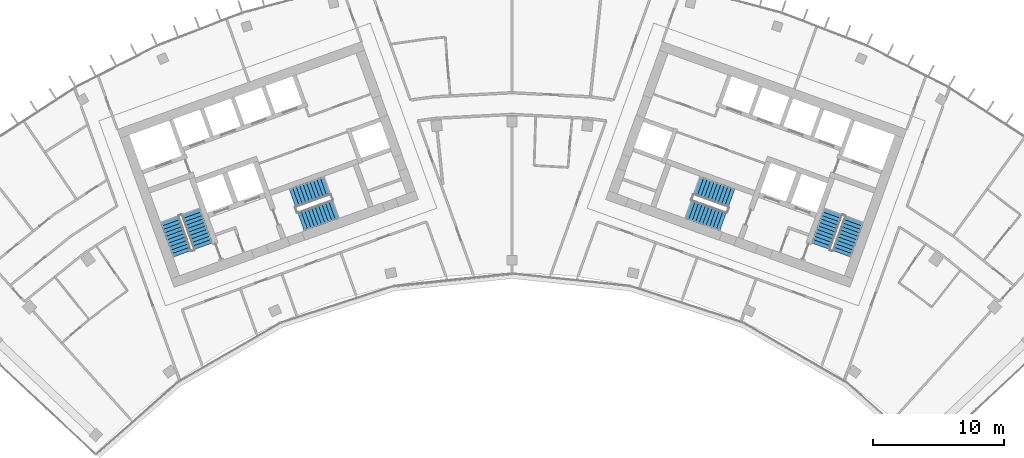
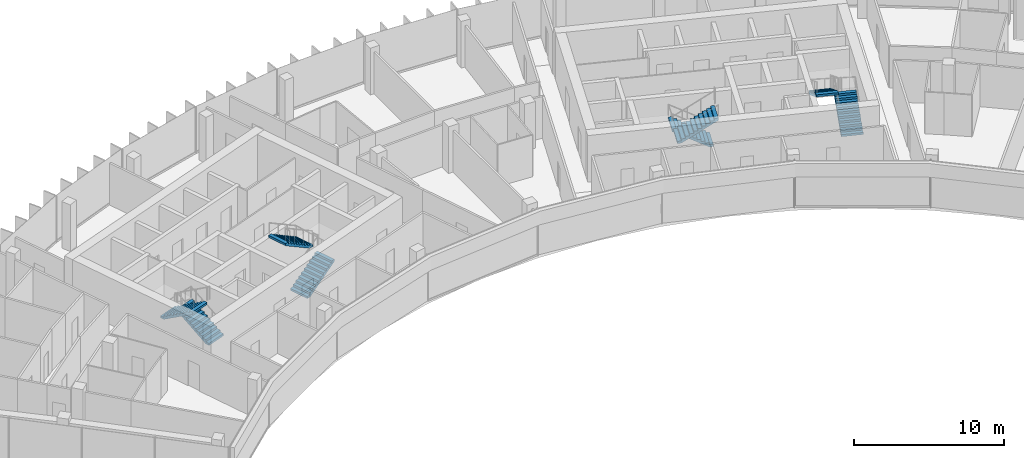
# One storey, part 18 of 19: 8 stair flights, 4 elements without a shape of their own.
"""IFC4 building model written with IfcOpenShell, lengths in metres."""

from ifc_helpers import new_model, si_unit, direction, frame, origin, place, context, subcontext, project, spatial, polyline, outline, extrude, material, type_object, element, aggregate, save


model = new_model("IFC4")

# Units and contexts
model_context = context("Model", 3, precision=1e-05, world=origin(), true_north=direction((0.0, 1.0)))
body_context = subcontext(model_context, "Body", "Model", "MODEL_VIEW")
ifc_project = project(units=[si_unit("LENGTHUNIT", "METRE"), si_unit("AREAUNIT", "SQUARE_METRE"), si_unit("VOLUMEUNIT", "CUBIC_METRE"), si_unit("PLANEANGLEUNIT", "RADIAN"), si_unit("MASSUNIT", "GRAM", prefix="KILO")], contexts=[model_context])

# Site, building, storey
site_placement = place(None, origin())
site = spatial("IfcSite", under=ifc_project, at=site_placement, CompositionType="ELEMENT")
building_placement = place(site_placement, origin())
building = spatial("IfcBuilding", under=site, at=building_placement, Name="Stone Belt Terrace Tower", CompositionType="ELEMENT")
storey_placement = place(building_placement, frame((0.0, 0.0, 303.60009765625)))
storey = spatial("IfcBuildingStorey", under=building, at=storey_placement, Name="L74", CompositionType="ELEMENT", Elevation=303.60009765625)

# Stair, stair flights
ifc_material = material(Name="Concrete B40", Category="concrete")
stair_type = type_object("IfcStairType", Name="Exit stair 1500", PredefinedType="HALF_TURN_STAIR", material=ifc_material)
stair_1_placement = place(storey_placement, origin())
stair_1 = element("IfcStair", 1, at=stair_1_placement, inside=storey, type_object=stair_type, Name="L74 Exit stair 1 core A", PredefinedType="HALF_TURN_STAIR")
stair_flight_type = type_object("IfcStairFlightType", Name="Stair flight 1500", PredefinedType="STRAIGHT", material=ifc_material)
stair_flight_1_placement = place(storey_placement, frame((-23.55322265625, 45.51318359375, 0.0), z_axis=(0.0, 0.0, 1.0), x_axis=(-0.338624396177, 0.940921632398, 0.0)))
stair_flight_1 = element("IfcStairFlight", 2, at=stair_flight_1_placement, type_object=stair_flight_type, Name="ST1A flight 1", NumberOfRisers=11, NumberOfTreads=10, PredefinedType="STRAIGHT", RiserHeight=0.172727273, TreadLength=0.28, context=body_context, shape_type="SweptSolid", body=[
    extrude(outline(polyline([(0.0, 0.0), (0.0, 0.172607421875), (0.280029296875, 0.172607421875), (0.280029296875, 0.345458984375), (0.56005859375, 0.345458984375), (0.56005859375, 0.51806640625), (0.840087890625, 0.51806640625), (0.840087890625, 0.69091796875), (1.1201171875, 0.69091796875), (1.1201171875, 0.863525390625), (1.39990234375, 0.863525390625), (1.39990234375, 1.036376953125), (1.679931640625, 1.036376953125), (1.679931640625, 1.208984375), (1.9599609375, 1.208984375), (1.9599609375, 1.3818359375), (2.239990234375, 1.3818359375), (2.239990234375, 1.554443359375), (2.52001953125, 1.554443359375), (2.52001953125, 1.727294921875), (2.800048828125, 1.727294921875), (2.800048828125, 1.89990234375), (2.800048828125, 1.551025390625), (0.285400390625, 0.0), (0.0, 0.0)])), frame((0.0, 0.75, 0.0), z_axis=(0.0, -1.0, 0.0), x_axis=(1.0, 0.0, 0.0)), (0.0, 0.0, 1.0), 1.5),
])
stair_flight_2_placement = place(storey_placement, frame((-26.10107421875, 47.572021484375, 1.89990234375), z_axis=(0.0, 0.0, 1.0), x_axis=(0.338624396177, -0.940921632398, 0.0)))
stair_flight_2 = element("IfcStairFlight", 3, at=stair_flight_2_placement, type_object=stair_flight_type, Name="ST1A flight 2", NumberOfRisers=11, NumberOfTreads=10, PredefinedType="STRAIGHT", RiserHeight=0.172727273, TreadLength=0.28, context=body_context, shape_type="SweptSolid", body=[
    extrude(outline(polyline([(0.0, 0.0), (0.0, 0.172607421875), (0.280029296875, 0.172607421875), (0.280029296875, 0.345458984375), (0.56005859375, 0.345458984375), (0.56005859375, 0.51806640625), (0.840087890625, 0.51806640625), (0.840087890625, 0.69091796875), (1.1201171875, 0.69091796875), (1.1201171875, 0.863525390625), (1.39990234375, 0.863525390625), (1.39990234375, 1.036376953125), (1.679931640625, 1.036376953125), (1.679931640625, 1.208984375), (1.9599609375, 1.208984375), (1.9599609375, 1.3818359375), (2.239990234375, 1.3818359375), (2.239990234375, 1.554443359375), (2.52001953125, 1.554443359375), (2.52001953125, 1.727294921875), (2.800048828125, 1.727294921875), (2.800048828125, 1.89990234375), (2.800048828125, 1.551025390625), (0.285400390625, 0.0), (0.0, 0.0)])), frame((0.0, 0.75, 0.0), z_axis=(0.0, -1.0, 0.0), x_axis=(1.0, 0.0, 0.0)), (0.0, 0.0, 1.0), 1.5),
])
aggregate(stair_1, [stair_flight_1, stair_flight_2])

stair_2_placement = place(storey_placement, origin())
stair_2 = element("IfcStair", 4, at=stair_2_placement, inside=storey, type_object=stair_type, Name="L74 Exit stair 2 core A", PredefinedType="HALF_TURN_STAIR")
stair_flight_3_placement = place(storey_placement, frame((-16.101318359375, 47.39794921875, 0.0), z_axis=(0.0, 0.0, 1.0), x_axis=(0.940921632398, 0.338624396177, 0.0)))
stair_flight_3 = element("IfcStairFlight", 5, at=stair_flight_3_placement, type_object=stair_flight_type, Name="ST2A flight 1", NumberOfRisers=11, NumberOfTreads=10, PredefinedType="STRAIGHT", RiserHeight=0.172727273, TreadLength=0.28, context=body_context, shape_type="SweptSolid", body=[
    extrude(outline(polyline([(0.0, 0.0), (0.0, 0.172607421875), (0.280029296875, 0.172607421875), (0.280029296875, 0.345458984375), (0.56005859375, 0.345458984375), (0.56005859375, 0.51806640625), (0.840087890625, 0.51806640625), (0.840087890625, 0.69091796875), (1.1201171875, 0.69091796875), (1.1201171875, 0.863525390625), (1.39990234375, 0.863525390625), (1.39990234375, 1.036376953125), (1.679931640625, 1.036376953125), (1.679931640625, 1.208984375), (1.9599609375, 1.208984375), (1.9599609375, 1.3818359375), (2.239990234375, 1.3818359375), (2.239990234375, 1.554443359375), (2.52001953125, 1.554443359375), (2.52001953125, 1.727294921875), (2.800048828125, 1.727294921875), (2.800048828125, 1.89990234375), (2.800048828125, 1.551025390625), (0.285400390625, 0.0), (0.0, 0.0)])), frame((0.0, 0.75, 0.0), z_axis=(0.0, -1.0, 0.0), x_axis=(1.0, 0.0, 0.0)), (0.0, 0.0, 1.0), 1.5),
])
stair_flight_4_placement = place(storey_placement, frame((-14.110107421875, 50.1337890625, 1.89990234375), z_axis=(0.0, 0.0, 1.0), x_axis=(-0.940921632398, -0.338624396177, 0.0)))
stair_flight_4 = element("IfcStairFlight", 6, at=stair_flight_4_placement, type_object=stair_flight_type, Name="ST2A flight 2", NumberOfRisers=11, NumberOfTreads=10, PredefinedType="STRAIGHT", RiserHeight=0.172727273, TreadLength=0.28, context=body_context, shape_type="SweptSolid", body=[
    extrude(outline(polyline([(0.0, 0.0), (0.0, 0.172607421875), (0.280029296875, 0.172607421875), (0.280029296875, 0.345458984375), (0.56005859375, 0.345458984375), (0.56005859375, 0.51806640625), (0.840087890625, 0.51806640625), (0.840087890625, 0.69091796875), (1.1201171875, 0.69091796875), (1.1201171875, 0.863525390625), (1.39990234375, 0.863525390625), (1.39990234375, 1.036376953125), (1.679931640625, 1.036376953125), (1.679931640625, 1.208984375), (1.9599609375, 1.208984375), (1.9599609375, 1.3818359375), (2.239990234375, 1.3818359375), (2.239990234375, 1.554443359375), (2.52001953125, 1.554443359375), (2.52001953125, 1.727294921875), (2.800048828125, 1.727294921875), (2.800048828125, 1.89990234375), (2.800048828125, 1.551025390625), (0.285400390625, 0.0), (0.0, 0.0)])), frame((0.0, 0.75, 0.0), z_axis=(0.0, -1.0, 0.0), x_axis=(1.0, 0.0, 0.0)), (0.0, 0.0, 1.0), 1.5),
])
aggregate(stair_2, [stair_flight_3, stair_flight_4])

stair_3_placement = place(storey_placement, origin())
stair_3 = element("IfcStair", 7, at=stair_3_placement, inside=storey, type_object=stair_type, Name="L74 Exit stair 1 core B", PredefinedType="HALF_TURN_STAIR")
stair_flight_5_placement = place(storey_placement, frame((25.15283203125, 44.9375, 0.0), z_axis=(0.0, 0.0, 1.0), x_axis=(0.338624396177, 0.940921632398, 0.0)))
stair_flight_5 = element("IfcStairFlight", 8, at=stair_flight_5_placement, type_object=stair_flight_type, Name="ST1B flight 1", NumberOfRisers=11, NumberOfTreads=10, PredefinedType="STRAIGHT", RiserHeight=0.172727273, TreadLength=0.28, context=body_context, shape_type="SweptSolid", body=[
    extrude(outline(polyline([(0.0, 0.0), (0.0, 0.172607421875), (0.280029296875, 0.172607421875), (0.280029296875, 0.345458984375), (0.56005859375, 0.345458984375), (0.56005859375, 0.51806640625), (0.840087890625, 0.51806640625), (0.840087890625, 0.69091796875), (1.1201171875, 0.69091796875), (1.1201171875, 0.863525390625), (1.39990234375, 0.863525390625), (1.39990234375, 1.036376953125), (1.679931640625, 1.036376953125), (1.679931640625, 1.208984375), (1.9599609375, 1.208984375), (1.9599609375, 1.3818359375), (2.239990234375, 1.3818359375), (2.239990234375, 1.554443359375), (2.52001953125, 1.554443359375), (2.52001953125, 1.727294921875), (2.800048828125, 1.727294921875), (2.800048828125, 1.89990234375), (2.800048828125, 1.551025390625), (0.285400390625, 0.0), (0.0, 0.0)])), frame((0.0, 0.75, 0.0), z_axis=(0.0, -1.0, 0.0), x_axis=(1.0, 0.0, 0.0)), (0.0, 0.0, 1.0), 1.5),
])
stair_flight_6_placement = place(storey_placement, frame((24.50146484375, 48.147705078125, 1.89990234375), z_axis=(0.0, 0.0, 1.0), x_axis=(-0.338624396177, -0.940921632398, 0.0)))
stair_flight_6 = element("IfcStairFlight", 9, at=stair_flight_6_placement, type_object=stair_flight_type, Name="ST1B flight 2", NumberOfRisers=11, NumberOfTreads=10, PredefinedType="STRAIGHT", RiserHeight=0.172727273, TreadLength=0.28, context=body_context, shape_type="SweptSolid", body=[
    extrude(outline(polyline([(0.0, 0.0), (0.0, 0.172607421875), (0.280029296875, 0.172607421875), (0.280029296875, 0.345458984375), (0.56005859375, 0.345458984375), (0.56005859375, 0.51806640625), (0.840087890625, 0.51806640625), (0.840087890625, 0.69091796875), (1.1201171875, 0.69091796875), (1.1201171875, 0.863525390625), (1.39990234375, 0.863525390625), (1.39990234375, 1.036376953125), (1.679931640625, 1.036376953125), (1.679931640625, 1.208984375), (1.9599609375, 1.208984375), (1.9599609375, 1.3818359375), (2.239990234375, 1.3818359375), (2.239990234375, 1.554443359375), (2.52001953125, 1.554443359375), (2.52001953125, 1.727294921875), (2.800048828125, 1.727294921875), (2.800048828125, 1.89990234375), (2.800048828125, 1.551025390625), (0.285400390625, 0.0), (0.0, 0.0)])), frame((0.0, 0.75, 0.0), z_axis=(0.0, -1.0, 0.0), x_axis=(1.0, 0.0, 0.0)), (0.0, 0.0, 1.0), 1.5),
])
aggregate(stair_3, [stair_flight_5, stair_flight_6])

stair_4_placement = place(storey_placement, origin())
stair_4 = element("IfcStair", 10, at=stair_4_placement, inside=storey, type_object=stair_type, Name="L74 Exit stair 2 core B", PredefinedType="HALF_TURN_STAIR")
stair_flight_7_placement = place(storey_placement, frame((16.74462890625, 49.185546875, 0.0), z_axis=(0.0, 0.0, 1.0), x_axis=(-0.940921632398, 0.338624396177, 0.0)))
stair_flight_7 = element("IfcStairFlight", 11, at=stair_flight_7_placement, type_object=stair_flight_type, Name="ST2B flight 1", NumberOfRisers=11, NumberOfTreads=10, PredefinedType="STRAIGHT", RiserHeight=0.172727273, TreadLength=0.28, context=body_context, shape_type="SweptSolid", body=[
    extrude(outline(polyline([(0.0, 0.0), (0.0, 0.172607421875), (0.280029296875, 0.172607421875), (0.280029296875, 0.345458984375), (0.56005859375, 0.345458984375), (0.56005859375, 0.51806640625), (0.840087890625, 0.51806640625), (0.840087890625, 0.69091796875), (1.1201171875, 0.69091796875), (1.1201171875, 0.863525390625), (1.39990234375, 0.863525390625), (1.39990234375, 1.036376953125), (1.679931640625, 1.036376953125), (1.679931640625, 1.208984375), (1.9599609375, 1.208984375), (1.9599609375, 1.3818359375), (2.239990234375, 1.3818359375), (2.239990234375, 1.554443359375), (2.52001953125, 1.554443359375), (2.52001953125, 1.727294921875), (2.800048828125, 1.727294921875), (2.800048828125, 1.89990234375), (2.800048828125, 1.551025390625), (0.285400390625, 0.0), (0.0, 0.0)])), frame((0.0, 0.75, 0.0), z_axis=(0.0, -1.0, 0.0), x_axis=(1.0, 0.0, 0.0)), (0.0, 0.0, 1.0), 1.5),
])
stair_flight_8_placement = place(storey_placement, frame((13.466796875, 48.345947265625, 1.89990234375), z_axis=(0.0, 0.0, 1.0), x_axis=(0.940921632398, -0.338624396177, 0.0)))
stair_flight_8 = element("IfcStairFlight", 12, at=stair_flight_8_placement, type_object=stair_flight_type, Name="ST2B flight 2", NumberOfRisers=11, NumberOfTreads=10, PredefinedType="STRAIGHT", RiserHeight=0.172727273, TreadLength=0.28, context=body_context, shape_type="SweptSolid", body=[
    extrude(outline(polyline([(0.0, 0.0), (0.0, 0.172607421875), (0.280029296875, 0.172607421875), (0.280029296875, 0.345458984375), (0.56005859375, 0.345458984375), (0.56005859375, 0.51806640625), (0.840087890625, 0.51806640625), (0.840087890625, 0.69091796875), (1.1201171875, 0.69091796875), (1.1201171875, 0.863525390625), (1.39990234375, 0.863525390625), (1.39990234375, 1.036376953125), (1.679931640625, 1.036376953125), (1.679931640625, 1.208984375), (1.9599609375, 1.208984375), (1.9599609375, 1.3818359375), (2.239990234375, 1.3818359375), (2.239990234375, 1.554443359375), (2.52001953125, 1.554443359375), (2.52001953125, 1.727294921875), (2.800048828125, 1.727294921875), (2.800048828125, 1.89990234375), (2.800048828125, 1.551025390625), (0.285400390625, 0.0), (0.0, 0.0)])), frame((0.0, 0.75, 0.0), z_axis=(0.0, -1.0, 0.0), x_axis=(1.0, 0.0, 0.0)), (0.0, 0.0, 1.0), 1.5),
])
aggregate(stair_4, [stair_flight_7, stair_flight_8])

save(model, "model.ifc")
